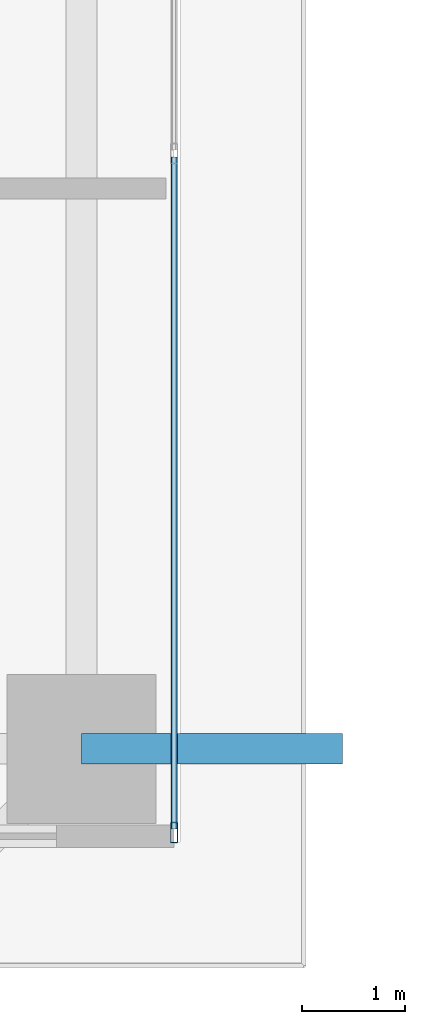
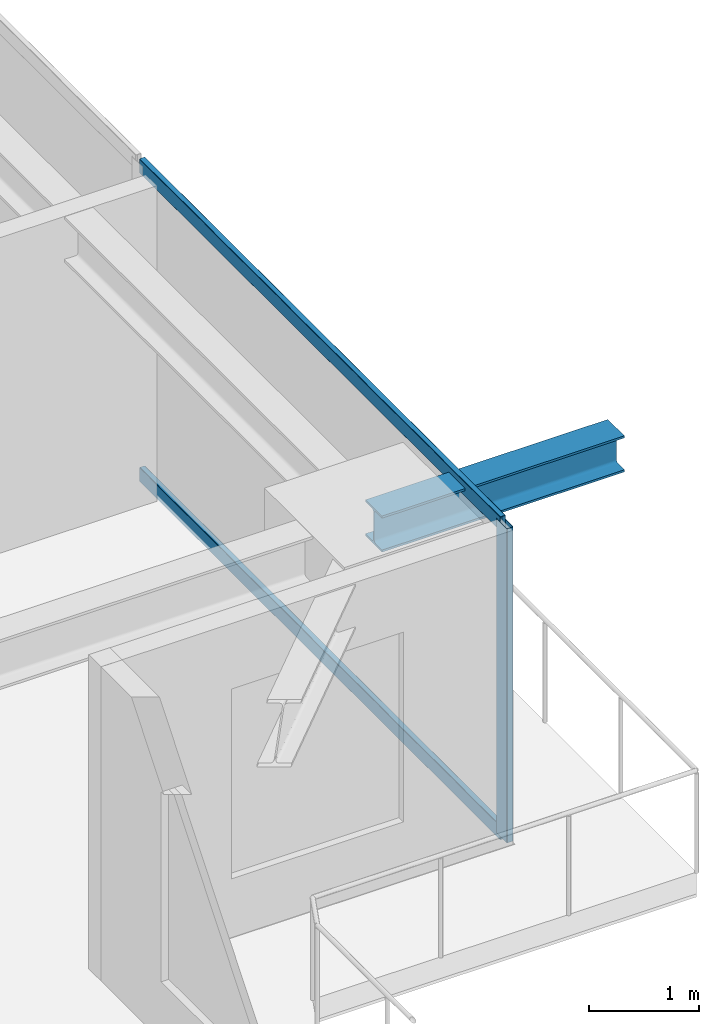
# One storey, part 13 of 40: 3 members, 1 beam, 1 element without a shape of its own.
"""IFC4 building model written with IfcOpenShell, lengths in metres."""

from ifc_helpers import new_model, si_unit, direction, frame, origin, origin_2d, place, context, subcontext, project, spatial, hollow_rectangle, i_section, extrude, source, transform, mapped, material, layer, layer_set, material_profile, profile_set, type_object, element, aggregate, save


model = new_model("IFC4")

# Units and contexts
model_context = context("Model", 3, precision=1e-05, world=origin(), true_north=direction((0.0, 1.0)))
body_context = subcontext(model_context, "Body", "Model", "MODEL_VIEW")
ifc_project = project(units=[si_unit("LENGTHUNIT", "METRE"), si_unit("AREAUNIT", "SQUARE_METRE"), si_unit("VOLUMEUNIT", "CUBIC_METRE"), si_unit("PLANEANGLEUNIT", "RADIAN"), si_unit("MASSUNIT", "GRAM", prefix="KILO")], contexts=[model_context])

# Site, building, storey
site_placement = place(None, origin())
site = spatial("IfcSite", under=ifc_project, at=site_placement, CompositionType="ELEMENT")
building_placement = place(site_placement, origin())
building = spatial("IfcBuilding", under=site, at=building_placement, Name="Serunith Strait Residences", CompositionType="ELEMENT")
storey_placement = place(building_placement, frame((0.0, 0.0, 90.449951171875)))
storey = spatial("IfcBuildingStorey", under=building, at=storey_placement, Name="L22", CompositionType="ELEMENT", Elevation=90.449951171875)

# Beam
ifc_material_1 = material(Name="Steel S355J2", Category="steel")
ifc_material_profile_1 = material_profile(ifc_material_1, i_section(OverallWidth=0.300048828125, OverallDepth=0.39990234375, WebThickness=0.013427734375, FlangeThickness=0.02392578125, FilletRadius=0.027099609375, at=origin_2d()), Name="HEB 400")
ifc_profile_set_1 = profile_set([ifc_material_profile_1], Name="Steel S355J2")
beam_type = type_object("IfcBeamType", Name="BM-HEB400", PredefinedType="BEAM", material=ifc_profile_set_1)
shared_shape_1 = source(origin(), body_context, "Body", "SweptSolid", [
    extrude(i_section(OverallWidth=0.300048828125, OverallDepth=0.39990234375, WebThickness=0.013427734375, FlangeThickness=0.02392578125, FilletRadius=0.027099609375, at=origin_2d()), origin(), (0.0, 0.0, 1.0), 2.5361328125),
])
beam_placement = place(storey_placement, frame((57.89990234375, 9.449951171875, 3.257080078125), z_axis=(1.0, 0.0, 0.0), x_axis=(0.0, 1.0, 0.0)))
element("IfcBeam", 1, at=beam_placement, inside=storey, type_object=beam_type, Name="L23 Cantilevered Balcony Rib TC-E1", PredefinedType="BEAM", context=body_context, shape_type="MappedRepresentation", body=[
    mapped(shared_shape_1, transform((0.0, 0.0, 0.0), scale=1.0)),
])

# Curtain wall, members
ifc_material_2 = material(Name="Pale-Champagne Anodised Aluminium", Category="aluminium")
ifc_layer = layer(ifc_material_2, 0.199951171875, Name="Pale-Champagne Anodised Aluminium")
ifc_layer_set = layer_set([ifc_layer], Name="Pale-Champagne Anodised Aluminium")
curtain_wall_type = type_object("IfcCurtainWallType", Name="CW-SYS1", PredefinedType="NOTDEFINED", material=ifc_layer_set)
curtain_wall_placement = place(storey_placement, origin())
curtain_wall = element("IfcCurtainWall", 2, at=curtain_wall_placement, inside=storey, type_object=curtain_wall_type, Name="L22 E Unitised Fritted Curtain Wall", PredefinedType="NOTDEFINED")
ifc_material_profile_2 = material_profile(ifc_material_2, hollow_rectangle(XDim=0.070068359375, YDim=0.199951171875, WallThickness=0.00390625, InnerFilletRadius=0.006103515625, OuterFilletRadius=0.010009765625, at=origin_2d()), Name="ALU 200x70x4")
ifc_profile_set_2 = profile_set([ifc_material_profile_2], Name="Pale-Champagne Anodised Aluminium")
member_type_1 = type_object("IfcMemberType", Name="CW-SYS1-MULL", PredefinedType="MULLION", material=ifc_profile_set_2)
shared_shape_2 = source(origin(), body_context, "Body", "SweptSolid", [
    extrude(hollow_rectangle(XDim=0.070068359375, YDim=0.199951171875, WallThickness=0.00390625, InnerFilletRadius=0.006103515625, OuterFilletRadius=0.010009765625, at=origin_2d()), origin(), (0.0, 0.0, 1.0), 3.47509765625),
])
member_1_placement = place(storey_placement, frame((58.800048828125, 8.635009765625, 0.0), z_axis=(0.0, 0.0, 1.0), x_axis=(-1.0, 0.0, 0.0)))
member_1 = element("IfcMember", 3, at=member_1_placement, type_object=member_type_1, Name="CW-1 mullion 1", PredefinedType="MULLION", context=body_context, shape_type="MappedRepresentation", body=[
    mapped(shared_shape_2, transform((0.0, 0.0, 0.0), scale=1.0)),
])
ifc_material_profile_3 = material_profile(ifc_material_2, hollow_rectangle(XDim=0.06005859375, YDim=0.159912109375, WallThickness=0.00341796875, InnerFilletRadius=0.00537109375, OuterFilletRadius=0.0087890625, at=origin_2d()), Name="ALU 160x60x3.5")
ifc_profile_set_3 = profile_set([ifc_material_profile_3], Name="Pale-Champagne Anodised Aluminium")
member_type_2 = type_object("IfcMemberType", Name="CW-SYS1-TRAN", PredefinedType="USERDEFINED", material=ifc_profile_set_3)
shared_shape_3 = source(origin(), body_context, "Body", "SweptSolid", [
    extrude(hollow_rectangle(XDim=0.06005859375, YDim=0.159912109375, WallThickness=0.00341796875, InnerFilletRadius=0.00537109375, OuterFilletRadius=0.0087890625, at=origin_2d()), origin(), (0.0, 0.0, 1.0), 6.53515625),
])
member_2_placement = place(storey_placement, frame((58.800048828125, 8.669921875, 0.030029296875), z_axis=(0.0, 1.0, 0.0), x_axis=(-1.0, 0.0, 0.0)))
member_2 = element("IfcMember", 4, at=member_2_placement, type_object=member_type_2, Name="CW-1 transom 1.1", ObjectType="TRANSOM", PredefinedType="USERDEFINED", context=body_context, shape_type="MappedRepresentation", body=[
    mapped(shared_shape_3, transform((0.0, 0.0, 0.0), scale=1.0)),
])
member_3_placement = place(storey_placement, frame((58.800048828125, 8.669921875, 3.445068359375), z_axis=(0.0, 1.0, 0.0), x_axis=(-1.0, 0.0, 0.0)))
member_3 = element("IfcMember", 5, at=member_3_placement, type_object=member_type_2, Name="CW-1 transom 1.2", ObjectType="TRANSOM", PredefinedType="USERDEFINED", context=body_context, shape_type="MappedRepresentation", body=[
    mapped(shared_shape_3, transform((0.0, 0.0, 0.0), scale=1.0)),
])
aggregate(curtain_wall, [member_1, member_2, member_3])

save(model, "model.ifc")
